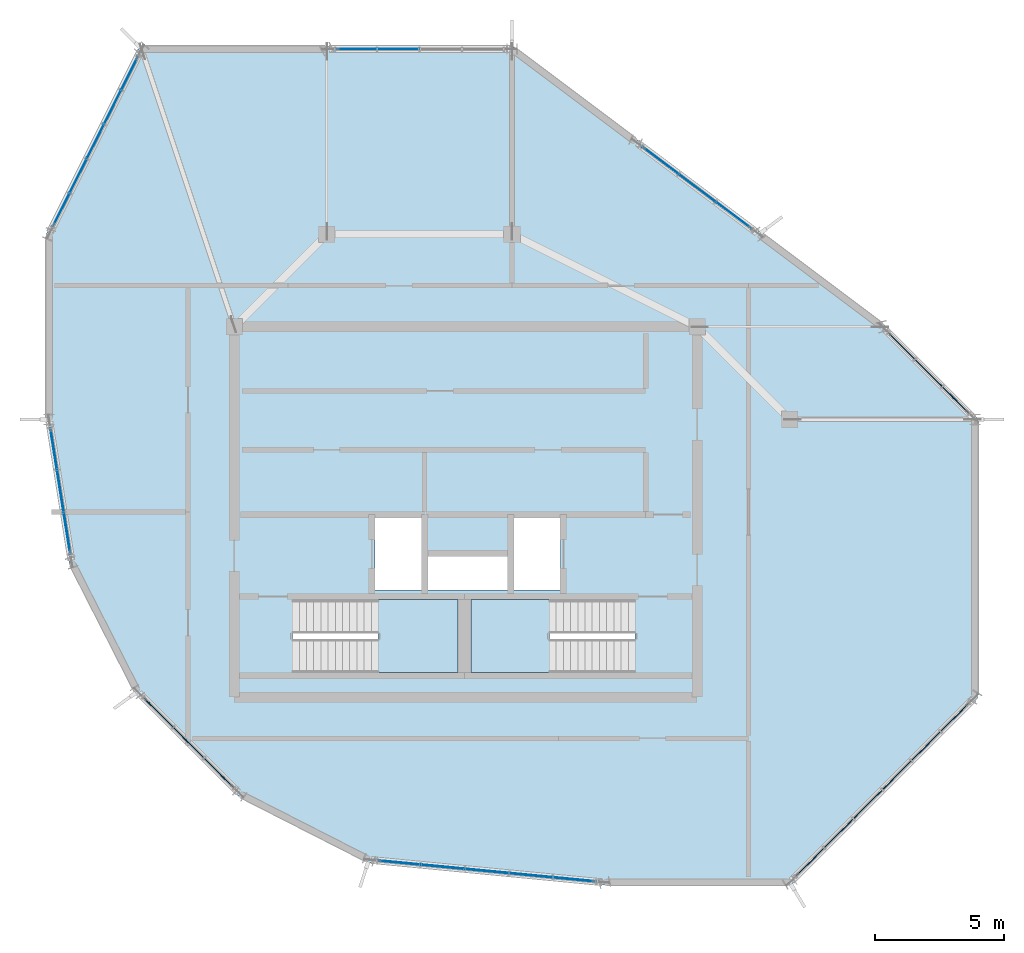
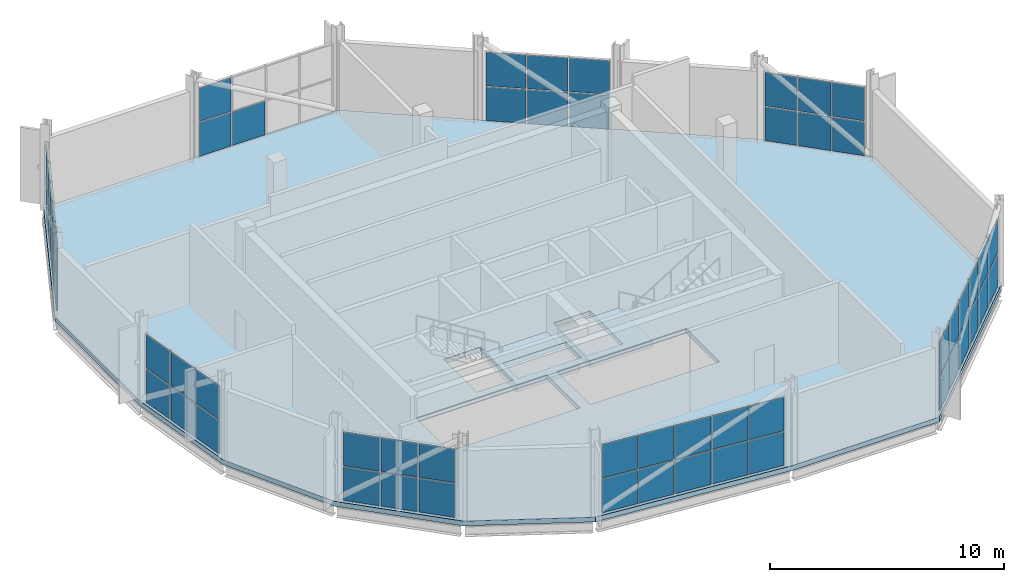
# One storey, part 16 of 22: 59 plates, 3 slabs, 10 elements without a shape of their own.
"""IFC4 building model written with IfcOpenShell, lengths in metres."""

from ifc_helpers import new_model, si_unit, direction, frame, origin, origin_2d, place, context, subcontext, project, spatial, polyline, rectangle, outline, extrude, material, layer, layer_set, type_object, element, aggregate, save


model = new_model("IFC4")

# Units and contexts
model_context = context("Model", 3, precision=1e-05, world=origin(), true_north=direction((0.0, 1.0)))
body_context = subcontext(model_context, "Body", "Model", "MODEL_VIEW")
ifc_project = project(units=[si_unit("LENGTHUNIT", "METRE"), si_unit("AREAUNIT", "SQUARE_METRE"), si_unit("VOLUMEUNIT", "CUBIC_METRE"), si_unit("PLANEANGLEUNIT", "RADIAN"), si_unit("MASSUNIT", "GRAM", prefix="KILO")], contexts=[model_context])

# Site, building, storey
site_placement = place(None, origin())
site = spatial("IfcSite", under=ifc_project, at=site_placement, CompositionType="ELEMENT")
building_placement = place(site_placement, origin())
building = spatial("IfcBuilding", under=site, at=building_placement, Name="Solnavia Interchange Tower", CompositionType="ELEMENT")
storey_placement = place(building_placement, frame((0.0, 0.0, 317.699951171875)))
storey = spatial("IfcBuildingStorey", under=building, at=storey_placement, Name="C04", CompositionType="ELEMENT", Elevation=317.699951171875)

# Curtain wall, plates
ifc_material_1 = material(Name="Aluminium Alloy 6063-T6", Category="aluminium")
ifc_layer_1 = layer(ifc_material_1, 0.179931640625)
ifc_layer_set_1 = layer_set([ifc_layer_1], Name="Aluminium Alloy 6063-T6")
curtain_wall_type = type_object("IfcCurtainWallType", Name="CurtainWall-Crown-CTW6", PredefinedType="NOTDEFINED", material=ifc_layer_set_1)
curtain_wall_1_placement = place(storey_placement, origin())
curtain_wall_1 = element("IfcCurtainWall", 1, at=curtain_wall_1_placement, inside=storey, type_object=curtain_wall_type, Name="CTW-C04-R01 CTW-6 curtain wall", PredefinedType="NOTDEFINED")
ifc_material_2 = material(Name="Double-Glazed Low-E IGU Glass", Category="glass")
ifc_layer_2 = layer(ifc_material_2, 0.030029296875)
ifc_layer_set_2 = layer_set([ifc_layer_2], Name="Double-Glazed Low-E IGU Glass")
plate_type = type_object("IfcPlateType", Name="CW-Panel-Crown-30", PredefinedType="CURTAIN_PANEL", material=ifc_layer_set_2)
plate_1_placement = place(storey_placement, frame((42.453369140625, 22.3466796875, 0.06005859375), z_axis=(0.0, 0.0, 1.0), x_axis=(-0.707106781187, 0.707106781187, 0.0)))
plate_1 = element("IfcPlate", 2, at=plate_1_placement, type_object=plate_type, Name="CTW-6 panel 1.1", PredefinedType="CURTAIN_PANEL", context=body_context, shape_type="SweptSolid", body=[
    extrude(rectangle(XDim=1.414794921875, YDim=0.030029296875, at=origin_2d()), origin(), (0.0, 0.0, 1.0), 1.75),
])
plate_2_placement = place(storey_placement, frame((42.453369140625, 22.3466796875, 1.8701171875), z_axis=(0.0, 0.0, 1.0), x_axis=(-0.707106781187, 0.707106781187, 0.0)))
plate_2 = element("IfcPlate", 3, at=plate_2_placement, type_object=plate_type, Name="CTW-6 panel 1.2", PredefinedType="CURTAIN_PANEL", context=body_context, shape_type="SweptSolid", body=[
    extrude(rectangle(XDim=1.414794921875, YDim=0.030029296875, at=origin_2d()), origin(), (0.0, 0.0, 1.0), 1.75),
])
plate_3_placement = place(storey_placement, frame((41.39990234375, 23.39990234375, 0.06005859375), z_axis=(0.0, 0.0, 1.0), x_axis=(-0.707106781187, 0.707106781187, 0.0)))
plate_3 = element("IfcPlate", 4, at=plate_3_placement, type_object=plate_type, Name="CTW-6 panel 2.1", PredefinedType="CURTAIN_PANEL", context=body_context, shape_type="SweptSolid", body=[
    extrude(rectangle(XDim=1.44482421875, YDim=0.030029296875, at=origin_2d()), origin(), (0.0, 0.0, 1.0), 1.75),
])
plate_4_placement = place(storey_placement, frame((41.39990234375, 23.39990234375, 1.8701171875), z_axis=(0.0, 0.0, 1.0), x_axis=(-0.707106781187, 0.707106781187, 0.0)))
plate_4 = element("IfcPlate", 5, at=plate_4_placement, type_object=plate_type, Name="CTW-6 panel 2.2", PredefinedType="CURTAIN_PANEL", context=body_context, shape_type="SweptSolid", body=[
    extrude(rectangle(XDim=1.44482421875, YDim=0.030029296875, at=origin_2d()), origin(), (0.0, 0.0, 1.0), 1.75),
])
plate_5_placement = place(storey_placement, frame((40.3466796875, 24.453369140625, 0.06005859375), z_axis=(0.0, 0.0, 1.0), x_axis=(-0.707106781187, 0.707106781187, 0.0)))
plate_5 = element("IfcPlate", 6, at=plate_5_placement, type_object=plate_type, Name="CTW-6 panel 3.1", PredefinedType="CURTAIN_PANEL", context=body_context, shape_type="SweptSolid", body=[
    extrude(rectangle(XDim=1.414794921875, YDim=0.030029296875, at=origin_2d()), origin(), (0.0, 0.0, 1.0), 1.75),
])
plate_6_placement = place(storey_placement, frame((40.3466796875, 24.453369140625, 1.8701171875), z_axis=(0.0, 0.0, 1.0), x_axis=(-0.707106781187, 0.707106781187, 0.0)))
plate_6 = element("IfcPlate", 7, at=plate_6_placement, type_object=plate_type, Name="CTW-6 panel 3.2", PredefinedType="CURTAIN_PANEL", context=body_context, shape_type="SweptSolid", body=[
    extrude(rectangle(XDim=1.414794921875, YDim=0.030029296875, at=origin_2d()), origin(), (0.0, 0.0, 1.0), 1.75),
])
aggregate(curtain_wall_1, [plate_1, plate_2, plate_3, plate_4, plate_5, plate_6])

curtain_wall_2_placement = place(storey_placement, origin())
curtain_wall_2 = element("IfcCurtainWall", 8, at=curtain_wall_2_placement, inside=storey, type_object=curtain_wall_type, Name="CTW-C04-R03 CTW-6 curtain wall", PredefinedType="NOTDEFINED")
plate_7_placement = place(storey_placement, frame((33.834228515625, 29.5244140625, 0.06005859375), z_axis=(0.0, 0.0, 1.0), x_axis=(-0.799999999998, 0.600000000002, 0.0)))
plate_7 = element("IfcPlate", 9, at=plate_7_placement, type_object=plate_type, Name="CTW-6 panel 1.1", PredefinedType="CURTAIN_PANEL", context=body_context, shape_type="SweptSolid", body=[
    extrude(rectangle(XDim=1.7177734375, YDim=0.030029296875, at=origin_2d()), origin(), (0.0, 0.0, 1.0), 1.75),
])
plate_8_placement = place(storey_placement, frame((33.834228515625, 29.5244140625, 1.8701171875), z_axis=(0.0, 0.0, 1.0), x_axis=(-0.799999999998, 0.600000000002, 0.0)))
plate_8 = element("IfcPlate", 10, at=plate_8_placement, type_object=plate_type, Name="CTW-6 panel 1.2", PredefinedType="CURTAIN_PANEL", context=body_context, shape_type="SweptSolid", body=[
    extrude(rectangle(XDim=1.7177734375, YDim=0.030029296875, at=origin_2d()), origin(), (0.0, 0.0, 1.0), 1.75),
])
plate_9_placement = place(storey_placement, frame((32.39990234375, 30.60009765625, 0.06005859375), z_axis=(0.0, 0.0, 1.0), x_axis=(-0.799999999998, 0.600000000002, 0.0)))
plate_9 = element("IfcPlate", 11, at=plate_9_placement, type_object=plate_type, Name="CTW-6 panel 2.1", PredefinedType="CURTAIN_PANEL", context=body_context, shape_type="SweptSolid", body=[
    extrude(rectangle(XDim=1.74755859375, YDim=0.030029296875, at=origin_2d()), origin(), (0.0, 0.0, 1.0), 1.75),
])
plate_10_placement = place(storey_placement, frame((32.39990234375, 30.60009765625, 1.8701171875), z_axis=(0.0, 0.0, 1.0), x_axis=(-0.799999999998, 0.600000000002, 0.0)))
plate_10 = element("IfcPlate", 12, at=plate_10_placement, type_object=plate_type, Name="CTW-6 panel 2.2", PredefinedType="CURTAIN_PANEL", context=body_context, shape_type="SweptSolid", body=[
    extrude(rectangle(XDim=1.74755859375, YDim=0.030029296875, at=origin_2d()), origin(), (0.0, 0.0, 1.0), 1.75),
])
plate_11_placement = place(storey_placement, frame((30.9658203125, 31.675537109375, 0.06005859375), z_axis=(0.0, 0.0, 1.0), x_axis=(-0.799999999998, 0.600000000002, 0.0)))
plate_11 = element("IfcPlate", 13, at=plate_11_placement, type_object=plate_type, Name="CTW-6 panel 3.1", PredefinedType="CURTAIN_PANEL", context=body_context, shape_type="SweptSolid", body=[
    extrude(rectangle(XDim=1.7177734375, YDim=0.030029296875, at=origin_2d()), origin(), (0.0, 0.0, 1.0), 1.75),
])
plate_12_placement = place(storey_placement, frame((30.9658203125, 31.675537109375, 1.8701171875), z_axis=(0.0, 0.0, 1.0), x_axis=(-0.799999999998, 0.600000000002, 0.0)))
plate_12 = element("IfcPlate", 14, at=plate_12_placement, type_object=plate_type, Name="CTW-6 panel 3.2", PredefinedType="CURTAIN_PANEL", context=body_context, shape_type="SweptSolid", body=[
    extrude(rectangle(XDim=1.7177734375, YDim=0.030029296875, at=origin_2d()), origin(), (0.0, 0.0, 1.0), 1.75),
])
aggregate(curtain_wall_2, [plate_7, plate_8, plate_9, plate_10, plate_11, plate_12])

curtain_wall_3_placement = place(storey_placement, origin())
curtain_wall_3 = element("IfcCurtainWall", 15, at=curtain_wall_3_placement, inside=storey, type_object=curtain_wall_type, Name="CTW-C04-R05 CTW-6 curtain wall", PredefinedType="NOTDEFINED")
plate_13_placement = place(storey_placement, frame((20.772216796875, 36.0, 0.06005859375), z_axis=(0.0, 0.0, 1.0), x_axis=(-1.0, 0.0, 0.0)))
plate_13 = element("IfcPlate", 16, at=plate_13_placement, type_object=plate_type, Name="CTW-6 panel 3.1", PredefinedType="CURTAIN_PANEL", context=body_context, shape_type="SweptSolid", body=[
    extrude(rectangle(XDim=1.595703125, YDim=0.030029296875, at=origin_2d()), origin(), (0.0, 0.0, 1.0), 1.75),
])
plate_14_placement = place(storey_placement, frame((19.13134765625, 36.0, 0.06005859375), z_axis=(0.0, 0.0, 1.0), x_axis=(-1.0, 0.0, 0.0)))
plate_14 = element("IfcPlate", 17, at=plate_14_placement, type_object=plate_type, Name="CTW-6 panel 4.1", PredefinedType="CURTAIN_PANEL", context=body_context, shape_type="SweptSolid", body=[
    extrude(rectangle(XDim=1.565673828125, YDim=0.030029296875, at=origin_2d()), origin(), (0.0, 0.0, 1.0), 1.75),
])
plate_15_placement = place(storey_placement, frame((19.13134765625, 36.0, 1.8701171875), z_axis=(0.0, 0.0, 1.0), x_axis=(-1.0, 0.0, 0.0)))
plate_15 = element("IfcPlate", 18, at=plate_15_placement, type_object=plate_type, Name="CTW-6 panel 4.2", PredefinedType="CURTAIN_PANEL", context=body_context, shape_type="SweptSolid", body=[
    extrude(rectangle(XDim=1.565673828125, YDim=0.030029296875, at=origin_2d()), origin(), (0.0, 0.0, 1.0), 1.75),
])
aggregate(curtain_wall_3, [plate_13, plate_14, plate_15])

curtain_wall_4_placement = place(storey_placement, origin())
curtain_wall_4 = element("IfcCurtainWall", 19, at=curtain_wall_4_placement, inside=storey, type_object=curtain_wall_type, Name="CTW-C04-R07 CTW-6 curtain wall", PredefinedType="NOTDEFINED")
plate_16_placement = place(storey_placement, frame((10.330078125, 35.060302734375, 0.06005859375), z_axis=(0.0, 0.0, 1.0), x_axis=(-0.447213595499, -0.894427191001, 0.0)))
plate_16 = element("IfcPlate", 20, at=plate_16_placement, type_object=plate_type, Name="CTW-6 panel 1.1", PredefinedType="CURTAIN_PANEL", context=body_context, shape_type="SweptSolid", body=[
    extrude(rectangle(XDim=1.404541015625, YDim=0.030029296875, at=origin_2d()), origin(), (0.0, 0.0, 1.0), 1.75),
])
plate_17_placement = place(storey_placement, frame((10.330078125, 35.060302734375, 1.8701171875), z_axis=(0.0, 0.0, 1.0), x_axis=(-0.447213595499, -0.894427191001, 0.0)))
plate_17 = element("IfcPlate", 21, at=plate_17_placement, type_object=plate_type, Name="CTW-6 panel 1.2", PredefinedType="CURTAIN_PANEL", context=body_context, shape_type="SweptSolid", body=[
    extrude(rectangle(XDim=1.404541015625, YDim=0.030029296875, at=origin_2d()), origin(), (0.0, 0.0, 1.0), 1.75),
])
plate_18_placement = place(storey_placement, frame((9.66845703125, 33.73681640625, 0.06005859375), z_axis=(0.0, 0.0, 1.0), x_axis=(-0.447213595499, -0.894427191001, 0.0)))
plate_18 = element("IfcPlate", 22, at=plate_18_placement, type_object=plate_type, Name="CTW-6 panel 2.1", PredefinedType="CURTAIN_PANEL", context=body_context, shape_type="SweptSolid", body=[
    extrude(rectangle(XDim=1.4345703125, YDim=0.030029296875, at=origin_2d()), origin(), (0.0, 0.0, 1.0), 1.75),
])
plate_19_placement = place(storey_placement, frame((9.66845703125, 33.73681640625, 1.8701171875), z_axis=(0.0, 0.0, 1.0), x_axis=(-0.447213595499, -0.894427191001, 0.0)))
plate_19 = element("IfcPlate", 23, at=plate_19_placement, type_object=plate_type, Name="CTW-6 panel 2.2", PredefinedType="CURTAIN_PANEL", context=body_context, shape_type="SweptSolid", body=[
    extrude(rectangle(XDim=1.4345703125, YDim=0.030029296875, at=origin_2d()), origin(), (0.0, 0.0, 1.0), 1.75),
])
plate_20_placement = place(storey_placement, frame((9.0, 32.39990234375, 0.06005859375), z_axis=(0.0, 0.0, 1.0), x_axis=(-0.447213595499, -0.894427191001, 0.0)))
plate_20 = element("IfcPlate", 24, at=plate_20_placement, type_object=plate_type, Name="CTW-6 panel 3.1", PredefinedType="CURTAIN_PANEL", context=body_context, shape_type="SweptSolid", body=[
    extrude(rectangle(XDim=1.4345703125, YDim=0.030029296875, at=origin_2d()), origin(), (0.0, 0.0, 1.0), 1.75),
])
plate_21_placement = place(storey_placement, frame((9.0, 32.39990234375, 1.8701171875), z_axis=(0.0, 0.0, 1.0), x_axis=(-0.447213595499, -0.894427191001, 0.0)))
plate_21 = element("IfcPlate", 25, at=plate_21_placement, type_object=plate_type, Name="CTW-6 panel 3.2", PredefinedType="CURTAIN_PANEL", context=body_context, shape_type="SweptSolid", body=[
    extrude(rectangle(XDim=1.4345703125, YDim=0.030029296875, at=origin_2d()), origin(), (0.0, 0.0, 1.0), 1.75),
])
plate_22_placement = place(storey_placement, frame((8.33154296875, 31.063232421875, 0.06005859375), z_axis=(0.0, 0.0, 1.0), x_axis=(-0.447213595499, -0.894427191001, 0.0)))
plate_22 = element("IfcPlate", 26, at=plate_22_placement, type_object=plate_type, Name="CTW-6 panel 4.1", PredefinedType="CURTAIN_PANEL", context=body_context, shape_type="SweptSolid", body=[
    extrude(rectangle(XDim=1.4345703125, YDim=0.030029296875, at=origin_2d()), origin(), (0.0, 0.0, 1.0), 1.75),
])
plate_23_placement = place(storey_placement, frame((8.33154296875, 31.063232421875, 1.8701171875), z_axis=(0.0, 0.0, 1.0), x_axis=(-0.447213595499, -0.894427191001, 0.0)))
plate_23 = element("IfcPlate", 27, at=plate_23_placement, type_object=plate_type, Name="CTW-6 panel 4.2", PredefinedType="CURTAIN_PANEL", context=body_context, shape_type="SweptSolid", body=[
    extrude(rectangle(XDim=1.4345703125, YDim=0.030029296875, at=origin_2d()), origin(), (0.0, 0.0, 1.0), 1.75),
])
plate_24_placement = place(storey_placement, frame((7.669921875, 29.73974609375, 0.06005859375), z_axis=(0.0, 0.0, 1.0), x_axis=(-0.447213595499, -0.894427191001, 0.0)))
plate_24 = element("IfcPlate", 28, at=plate_24_placement, type_object=plate_type, Name="CTW-6 panel 5.1", PredefinedType="CURTAIN_PANEL", context=body_context, shape_type="SweptSolid", body=[
    extrude(rectangle(XDim=1.404541015625, YDim=0.030029296875, at=origin_2d()), origin(), (0.0, 0.0, 1.0), 1.75),
])
plate_25_placement = place(storey_placement, frame((7.669921875, 29.73974609375, 1.8701171875), z_axis=(0.0, 0.0, 1.0), x_axis=(-0.447213595499, -0.894427191001, 0.0)))
plate_25 = element("IfcPlate", 29, at=plate_25_placement, type_object=plate_type, Name="CTW-6 panel 5.2", PredefinedType="CURTAIN_PANEL", context=body_context, shape_type="SweptSolid", body=[
    extrude(rectangle(XDim=1.404541015625, YDim=0.030029296875, at=origin_2d()), origin(), (0.0, 0.0, 1.0), 1.75),
])
aggregate(curtain_wall_4, [plate_16, plate_17, plate_18, plate_19, plate_20, plate_21, plate_22, plate_23, plate_24, plate_25])

curtain_wall_5_placement = place(storey_placement, origin())
curtain_wall_5 = element("IfcCurtainWall", 30, at=curtain_wall_5_placement, inside=storey, type_object=curtain_wall_type, Name="CTW-C04-R09 CTW-6 curtain wall", PredefinedType="NOTDEFINED")
plate_26_placement = place(storey_placement, frame((7.379150390625, 20.46826171875, 0.06005859375), z_axis=(0.0, 0.0, 1.0), x_axis=(0.156456312485, -0.987684880052, 0.0)))
plate_26 = element("IfcPlate", 31, at=plate_26_placement, type_object=plate_type, Name="CTW-6 panel 1.1", PredefinedType="CURTAIN_PANEL", context=body_context, shape_type="SweptSolid", body=[
    extrude(rectangle(XDim=1.5947265625, YDim=0.030029296875, at=origin_2d()), origin(), (0.0, 0.0, 1.0), 1.75),
])
plate_27_placement = place(storey_placement, frame((7.379150390625, 20.46826171875, 1.8701171875), z_axis=(0.0, 0.0, 1.0), x_axis=(0.156456312485, -0.987684880052, 0.0)))
plate_27 = element("IfcPlate", 32, at=plate_27_placement, type_object=plate_type, Name="CTW-6 panel 1.2", PredefinedType="CURTAIN_PANEL", context=body_context, shape_type="SweptSolid", body=[
    extrude(rectangle(XDim=1.5947265625, YDim=0.030029296875, at=origin_2d()), origin(), (0.0, 0.0, 1.0), 1.75),
])
plate_28_placement = place(storey_placement, frame((7.640380859375, 18.819091796875, 0.06005859375), z_axis=(0.0, 0.0, 1.0), x_axis=(0.156456312485, -0.987684880052, 0.0)))
plate_28 = element("IfcPlate", 33, at=plate_28_placement, type_object=plate_type, Name="CTW-6 panel 2.1", PredefinedType="CURTAIN_PANEL", context=body_context, shape_type="SweptSolid", body=[
    extrude(rectangle(XDim=1.624755859375, YDim=0.030029296875, at=origin_2d()), origin(), (0.0, 0.0, 1.0), 1.75),
])
plate_29_placement = place(storey_placement, frame((7.640380859375, 18.819091796875, 1.8701171875), z_axis=(0.0, 0.0, 1.0), x_axis=(0.156456312485, -0.987684880052, 0.0)))
plate_29 = element("IfcPlate", 34, at=plate_29_placement, type_object=plate_type, Name="CTW-6 panel 2.2", PredefinedType="CURTAIN_PANEL", context=body_context, shape_type="SweptSolid", body=[
    extrude(rectangle(XDim=1.624755859375, YDim=0.030029296875, at=origin_2d()), origin(), (0.0, 0.0, 1.0), 1.75),
])
plate_30_placement = place(storey_placement, frame((7.90185546875, 17.169677734375, 0.06005859375), z_axis=(0.0, 0.0, 1.0), x_axis=(0.156456312485, -0.987684880052, 0.0)))
plate_30 = element("IfcPlate", 35, at=plate_30_placement, type_object=plate_type, Name="CTW-6 panel 3.1", PredefinedType="CURTAIN_PANEL", context=body_context, shape_type="SweptSolid", body=[
    extrude(rectangle(XDim=1.5947265625, YDim=0.030029296875, at=origin_2d()), origin(), (0.0, 0.0, 1.0), 1.75),
])
plate_31_placement = place(storey_placement, frame((7.90185546875, 17.169677734375, 1.8701171875), z_axis=(0.0, 0.0, 1.0), x_axis=(0.156456312485, -0.987684880052, 0.0)))
plate_31 = element("IfcPlate", 36, at=plate_31_placement, type_object=plate_type, Name="CTW-6 panel 3.2", PredefinedType="CURTAIN_PANEL", context=body_context, shape_type="SweptSolid", body=[
    extrude(rectangle(XDim=1.5947265625, YDim=0.030029296875, at=origin_2d()), origin(), (0.0, 0.0, 1.0), 1.75),
])
aggregate(curtain_wall_5, [plate_26, plate_27, plate_28, plate_29, plate_30, plate_31])

curtain_wall_6_placement = place(storey_placement, origin())
curtain_wall_6 = element("IfcCurtainWall", 37, at=curtain_wall_6_placement, inside=storey, type_object=curtain_wall_type, Name="CTW-C04-R11 CTW-6 curtain wall", PredefinedType="NOTDEFINED")
plate_32_placement = place(storey_placement, frame((11.4482421875, 10.209716796875, 0.06005859375), z_axis=(0.0, 0.0, 1.0), x_axis=(0.707106781187, -0.707106781187, 0.0)))
plate_32 = element("IfcPlate", 38, at=plate_32_placement, type_object=plate_type, Name="CTW-6 panel 1.1", PredefinedType="CURTAIN_PANEL", context=body_context, shape_type="SweptSolid", body=[
    extrude(rectangle(XDim=1.5947265625, YDim=0.030029296875, at=origin_2d()), origin(), (0.0, 0.0, 1.0), 1.75),
])
plate_33_placement = place(storey_placement, frame((11.4482421875, 10.209716796875, 1.8701171875), z_axis=(0.0, 0.0, 1.0), x_axis=(0.707106781187, -0.707106781187, 0.0)))
plate_33 = element("IfcPlate", 39, at=plate_33_placement, type_object=plate_type, Name="CTW-6 panel 1.2", PredefinedType="CURTAIN_PANEL", context=body_context, shape_type="SweptSolid", body=[
    extrude(rectangle(XDim=1.5947265625, YDim=0.030029296875, at=origin_2d()), origin(), (0.0, 0.0, 1.0), 1.75),
])
plate_34_placement = place(storey_placement, frame((12.62890625, 9.029052734375, 0.06005859375), z_axis=(0.0, 0.0, 1.0), x_axis=(0.707106781187, -0.707106781187, 0.0)))
plate_34 = element("IfcPlate", 40, at=plate_34_placement, type_object=plate_type, Name="CTW-6 panel 2.1", PredefinedType="CURTAIN_PANEL", context=body_context, shape_type="SweptSolid", body=[
    extrude(rectangle(XDim=1.624755859375, YDim=0.030029296875, at=origin_2d()), origin(), (0.0, 0.0, 1.0), 1.75),
])
plate_35_placement = place(storey_placement, frame((12.62890625, 9.029052734375, 1.8701171875), z_axis=(0.0, 0.0, 1.0), x_axis=(0.707106781187, -0.707106781187, 0.0)))
plate_35 = element("IfcPlate", 41, at=plate_35_placement, type_object=plate_type, Name="CTW-6 panel 2.2", PredefinedType="CURTAIN_PANEL", context=body_context, shape_type="SweptSolid", body=[
    extrude(rectangle(XDim=1.624755859375, YDim=0.030029296875, at=origin_2d()), origin(), (0.0, 0.0, 1.0), 1.75),
])
plate_36_placement = place(storey_placement, frame((13.809814453125, 7.848388671875, 0.06005859375), z_axis=(0.0, 0.0, 1.0), x_axis=(0.707106781187, -0.707106781187, 0.0)))
plate_36 = element("IfcPlate", 42, at=plate_36_placement, type_object=plate_type, Name="CTW-6 panel 3.1", PredefinedType="CURTAIN_PANEL", context=body_context, shape_type="SweptSolid", body=[
    extrude(rectangle(XDim=1.5947265625, YDim=0.030029296875, at=origin_2d()), origin(), (0.0, 0.0, 1.0), 1.75),
])
plate_37_placement = place(storey_placement, frame((13.809814453125, 7.848388671875, 1.8701171875), z_axis=(0.0, 0.0, 1.0), x_axis=(0.707106781187, -0.707106781187, 0.0)))
plate_37 = element("IfcPlate", 43, at=plate_37_placement, type_object=plate_type, Name="CTW-6 panel 3.2", PredefinedType="CURTAIN_PANEL", context=body_context, shape_type="SweptSolid", body=[
    extrude(rectangle(XDim=1.5947265625, YDim=0.030029296875, at=origin_2d()), origin(), (0.0, 0.0, 1.0), 1.75),
])
aggregate(curtain_wall_6, [plate_32, plate_33, plate_34, plate_35, plate_36, plate_37])

curtain_wall_7_placement = place(storey_placement, origin())
curtain_wall_7 = element("IfcCurtainWall", 44, at=curtain_wall_7_placement, inside=storey, type_object=curtain_wall_type, Name="CTW-C04-R13 CTW-6 curtain wall", PredefinedType="NOTDEFINED")
plate_38_placement = place(storey_placement, frame((20.798828125, 4.369384765625, 0.06005859375), z_axis=(0.0, 0.0, 1.0), x_axis=(0.995408264531, -0.095720357833, 0.0)))
plate_38 = element("IfcPlate", 45, at=plate_38_placement, type_object=plate_type, Name="CTW-6 panel 1.1", PredefinedType="CURTAIN_PANEL", context=body_context, shape_type="SweptSolid", body=[
    extrude(rectangle(XDim=1.635498046875, YDim=0.030029296875, at=origin_2d()), origin(), (0.0, 0.0, 1.0), 1.75),
])
plate_39_placement = place(storey_placement, frame((20.798828125, 4.369384765625, 1.8701171875), z_axis=(0.0, 0.0, 1.0), x_axis=(0.995408264531, -0.095720357833, 0.0)))
plate_39 = element("IfcPlate", 46, at=plate_39_placement, type_object=plate_type, Name="CTW-6 panel 1.2", PredefinedType="CURTAIN_PANEL", context=body_context, shape_type="SweptSolid", body=[
    extrude(rectangle(XDim=1.635498046875, YDim=0.030029296875, at=origin_2d()), origin(), (0.0, 0.0, 1.0), 1.75),
])
plate_40_placement = place(storey_placement, frame((22.50146484375, 4.20556640625, 0.06005859375), z_axis=(0.0, 0.0, 1.0), x_axis=(0.995408264531, -0.095720357833, 0.0)))
plate_40 = element("IfcPlate", 47, at=plate_40_placement, type_object=plate_type, Name="CTW-6 panel 2.1", PredefinedType="CURTAIN_PANEL", context=body_context, shape_type="SweptSolid", body=[
    extrude(rectangle(XDim=1.66552734375, YDim=0.030029296875, at=origin_2d()), origin(), (0.0, 0.0, 1.0), 1.75),
])
plate_41_placement = place(storey_placement, frame((22.50146484375, 4.20556640625, 1.8701171875), z_axis=(0.0, 0.0, 1.0), x_axis=(0.995408264531, -0.095720357833, 0.0)))
plate_41 = element("IfcPlate", 48, at=plate_41_placement, type_object=plate_type, Name="CTW-6 panel 2.2", PredefinedType="CURTAIN_PANEL", context=body_context, shape_type="SweptSolid", body=[
    extrude(rectangle(XDim=1.66552734375, YDim=0.030029296875, at=origin_2d()), origin(), (0.0, 0.0, 1.0), 1.75),
])
plate_42_placement = place(storey_placement, frame((24.218994140625, 4.04052734375, 0.06005859375), z_axis=(0.0, 0.0, 1.0), x_axis=(0.995408264531, -0.095720357833, 0.0)))
plate_42 = element("IfcPlate", 49, at=plate_42_placement, type_object=plate_type, Name="CTW-6 panel 3.1", PredefinedType="CURTAIN_PANEL", context=body_context, shape_type="SweptSolid", body=[
    extrude(rectangle(XDim=1.66552734375, YDim=0.030029296875, at=origin_2d()), origin(), (0.0, 0.0, 1.0), 1.75),
])
plate_43_placement = place(storey_placement, frame((24.218994140625, 4.04052734375, 1.8701171875), z_axis=(0.0, 0.0, 1.0), x_axis=(0.995408264531, -0.095720357833, 0.0)))
plate_43 = element("IfcPlate", 50, at=plate_43_placement, type_object=plate_type, Name="CTW-6 panel 3.2", PredefinedType="CURTAIN_PANEL", context=body_context, shape_type="SweptSolid", body=[
    extrude(rectangle(XDim=1.66552734375, YDim=0.030029296875, at=origin_2d()), origin(), (0.0, 0.0, 1.0), 1.75),
])
plate_44_placement = place(storey_placement, frame((25.9365234375, 3.875244140625, 0.06005859375), z_axis=(0.0, 0.0, 1.0), x_axis=(0.995408264531, -0.095720357833, 0.0)))
plate_44 = element("IfcPlate", 51, at=plate_44_placement, type_object=plate_type, Name="CTW-6 panel 4.1", PredefinedType="CURTAIN_PANEL", context=body_context, shape_type="SweptSolid", body=[
    extrude(rectangle(XDim=1.66552734375, YDim=0.030029296875, at=origin_2d()), origin(), (0.0, 0.0, 1.0), 1.75),
])
plate_45_placement = place(storey_placement, frame((25.9365234375, 3.875244140625, 1.8701171875), z_axis=(0.0, 0.0, 1.0), x_axis=(0.995408264531, -0.095720357833, 0.0)))
plate_45 = element("IfcPlate", 52, at=plate_45_placement, type_object=plate_type, Name="CTW-6 panel 4.2", PredefinedType="CURTAIN_PANEL", context=body_context, shape_type="SweptSolid", body=[
    extrude(rectangle(XDim=1.66552734375, YDim=0.030029296875, at=origin_2d()), origin(), (0.0, 0.0, 1.0), 1.75),
])
plate_46_placement = place(storey_placement, frame((27.63916015625, 3.711669921875, 0.06005859375), z_axis=(0.0, 0.0, 1.0), x_axis=(0.995408264531, -0.095720357833, 0.0)))
plate_46 = element("IfcPlate", 53, at=plate_46_placement, type_object=plate_type, Name="CTW-6 panel 5.1", PredefinedType="CURTAIN_PANEL", context=body_context, shape_type="SweptSolid", body=[
    extrude(rectangle(XDim=1.635498046875, YDim=0.030029296875, at=origin_2d()), origin(), (0.0, 0.0, 1.0), 1.75),
])
plate_47_placement = place(storey_placement, frame((27.63916015625, 3.711669921875, 1.8701171875), z_axis=(0.0, 0.0, 1.0), x_axis=(0.995408264531, -0.095720357833, 0.0)))
plate_47 = element("IfcPlate", 54, at=plate_47_placement, type_object=plate_type, Name="CTW-6 panel 5.2", PredefinedType="CURTAIN_PANEL", context=body_context, shape_type="SweptSolid", body=[
    extrude(rectangle(XDim=1.635498046875, YDim=0.030029296875, at=origin_2d()), origin(), (0.0, 0.0, 1.0), 1.75),
])
aggregate(curtain_wall_7, [plate_38, plate_39, plate_40, plate_41, plate_42, plate_43, plate_44, plate_45, plate_46, plate_47])

curtain_wall_8_placement = place(storey_placement, origin())
curtain_wall_8 = element("IfcCurtainWall", 55, at=curtain_wall_8_placement, inside=storey, type_object=curtain_wall_type, Name="CTW-C04-R15 CTW-6 curtain wall", PredefinedType="NOTDEFINED")
plate_48_placement = place(storey_placement, frame((36.780517578125, 4.380615234375, 0.06005859375), z_axis=(0.0, 0.0, 1.0), x_axis=(0.707106781187, 0.707106781187, 0.0)))
plate_48 = element("IfcPlate", 56, at=plate_48_placement, type_object=plate_type, Name="CTW-6 panel 1.1", PredefinedType="CURTAIN_PANEL", context=body_context, shape_type="SweptSolid", body=[
    extrude(rectangle(XDim=1.510986328125, YDim=0.030029296875, at=origin_2d()), origin(), (0.0, 0.0, 1.0), 1.75),
])
plate_49_placement = place(storey_placement, frame((36.780517578125, 4.380615234375, 1.8701171875), z_axis=(0.0, 0.0, 1.0), x_axis=(0.707106781187, 0.707106781187, 0.0)))
plate_49 = element("IfcPlate", 57, at=plate_49_placement, type_object=plate_type, Name="CTW-6 panel 1.2", PredefinedType="CURTAIN_PANEL", context=body_context, shape_type="SweptSolid", body=[
    extrude(rectangle(XDim=1.510986328125, YDim=0.030029296875, at=origin_2d()), origin(), (0.0, 0.0, 1.0), 1.75),
])
plate_50_placement = place(storey_placement, frame((37.902099609375, 5.501953125, 0.06005859375), z_axis=(0.0, 0.0, 1.0), x_axis=(0.707106781187, 0.707106781187, 0.0)))
plate_50 = element("IfcPlate", 58, at=plate_50_placement, type_object=plate_type, Name="CTW-6 panel 2.1", PredefinedType="CURTAIN_PANEL", context=body_context, shape_type="SweptSolid", body=[
    extrude(rectangle(XDim=1.540771484375, YDim=0.030029296875, at=origin_2d()), origin(), (0.0, 0.0, 1.0), 1.75),
])
plate_51_placement = place(storey_placement, frame((37.902099609375, 5.501953125, 1.8701171875), z_axis=(0.0, 0.0, 1.0), x_axis=(0.707106781187, 0.707106781187, 0.0)))
plate_51 = element("IfcPlate", 59, at=plate_51_placement, type_object=plate_type, Name="CTW-6 panel 2.2", PredefinedType="CURTAIN_PANEL", context=body_context, shape_type="SweptSolid", body=[
    extrude(rectangle(XDim=1.540771484375, YDim=0.030029296875, at=origin_2d()), origin(), (0.0, 0.0, 1.0), 1.75),
])
plate_52_placement = place(storey_placement, frame((39.033935546875, 6.634033203125, 0.06005859375), z_axis=(0.0, 0.0, 1.0), x_axis=(0.707106781187, 0.707106781187, 0.0)))
plate_52 = element("IfcPlate", 60, at=plate_52_placement, type_object=plate_type, Name="CTW-6 panel 3.1", PredefinedType="CURTAIN_PANEL", context=body_context, shape_type="SweptSolid", body=[
    extrude(rectangle(XDim=1.540771484375, YDim=0.030029296875, at=origin_2d()), origin(), (0.0, 0.0, 1.0), 1.75),
])
plate_53_placement = place(storey_placement, frame((39.033935546875, 6.634033203125, 1.8701171875), z_axis=(0.0, 0.0, 1.0), x_axis=(0.707106781187, 0.707106781187, 0.0)))
plate_53 = element("IfcPlate", 61, at=plate_53_placement, type_object=plate_type, Name="CTW-6 panel 3.2", PredefinedType="CURTAIN_PANEL", context=body_context, shape_type="SweptSolid", body=[
    extrude(rectangle(XDim=1.540771484375, YDim=0.030029296875, at=origin_2d()), origin(), (0.0, 0.0, 1.0), 1.75),
])
plate_54_placement = place(storey_placement, frame((40.166015625, 7.76611328125, 0.06005859375), z_axis=(0.0, 0.0, 1.0), x_axis=(0.707106781187, 0.707106781187, 0.0)))
plate_54 = element("IfcPlate", 62, at=plate_54_placement, type_object=plate_type, Name="CTW-6 panel 4.1", PredefinedType="CURTAIN_PANEL", context=body_context, shape_type="SweptSolid", body=[
    extrude(rectangle(XDim=1.540771484375, YDim=0.030029296875, at=origin_2d()), origin(), (0.0, 0.0, 1.0), 1.75),
])
plate_55_placement = place(storey_placement, frame((40.166015625, 7.76611328125, 1.8701171875), z_axis=(0.0, 0.0, 1.0), x_axis=(0.707106781187, 0.707106781187, 0.0)))
plate_55 = element("IfcPlate", 63, at=plate_55_placement, type_object=plate_type, Name="CTW-6 panel 4.2", PredefinedType="CURTAIN_PANEL", context=body_context, shape_type="SweptSolid", body=[
    extrude(rectangle(XDim=1.540771484375, YDim=0.030029296875, at=origin_2d()), origin(), (0.0, 0.0, 1.0), 1.75),
])
plate_56_placement = place(storey_placement, frame((41.298095703125, 8.89794921875, 0.06005859375), z_axis=(0.0, 0.0, 1.0), x_axis=(0.707106781187, 0.707106781187, 0.0)))
plate_56 = element("IfcPlate", 64, at=plate_56_placement, type_object=plate_type, Name="CTW-6 panel 5.1", PredefinedType="CURTAIN_PANEL", context=body_context, shape_type="SweptSolid", body=[
    extrude(rectangle(XDim=1.540771484375, YDim=0.030029296875, at=origin_2d()), origin(), (0.0, 0.0, 1.0), 1.75),
])
plate_57_placement = place(storey_placement, frame((41.298095703125, 8.89794921875, 1.8701171875), z_axis=(0.0, 0.0, 1.0), x_axis=(0.707106781187, 0.707106781187, 0.0)))
plate_57 = element("IfcPlate", 65, at=plate_57_placement, type_object=plate_type, Name="CTW-6 panel 5.2", PredefinedType="CURTAIN_PANEL", context=body_context, shape_type="SweptSolid", body=[
    extrude(rectangle(XDim=1.540771484375, YDim=0.030029296875, at=origin_2d()), origin(), (0.0, 0.0, 1.0), 1.75),
])
plate_58_placement = place(storey_placement, frame((42.41943359375, 10.019287109375, 0.06005859375), z_axis=(0.0, 0.0, 1.0), x_axis=(0.707106781187, 0.707106781187, 0.0)))
plate_58 = element("IfcPlate", 66, at=plate_58_placement, type_object=plate_type, Name="CTW-6 panel 6.1", PredefinedType="CURTAIN_PANEL", context=body_context, shape_type="SweptSolid", body=[
    extrude(rectangle(XDim=1.510986328125, YDim=0.030029296875, at=origin_2d()), origin(), (0.0, 0.0, 1.0), 1.75),
])
plate_59_placement = place(storey_placement, frame((42.41943359375, 10.019287109375, 1.8701171875), z_axis=(0.0, 0.0, 1.0), x_axis=(0.707106781187, 0.707106781187, 0.0)))
plate_59 = element("IfcPlate", 67, at=plate_59_placement, type_object=plate_type, Name="CTW-6 panel 6.2", PredefinedType="CURTAIN_PANEL", context=body_context, shape_type="SweptSolid", body=[
    extrude(rectangle(XDim=1.510986328125, YDim=0.030029296875, at=origin_2d()), origin(), (0.0, 0.0, 1.0), 1.75),
])
aggregate(curtain_wall_8, [plate_48, plate_49, plate_50, plate_51, plate_52, plate_53, plate_54, plate_55, plate_56, plate_57, plate_58, plate_59])

# Stair, slab
ifc_material_3 = material(Name="Concrete C40/50", Category="concrete")
stair_type = type_object("IfcStairType", Name="Stair-Dogleg-RC", PredefinedType="HALF_TURN_STAIR", material=ifc_material_3)
stair_1_placement = place(storey_placement, origin())
stair_1 = element("IfcStair", 68, at=stair_1_placement, inside=storey, type_object=stair_type, Name="C04 Core exit stair 1", PredefinedType="HALF_TURN_STAIR")
ifc_layer_3 = layer(ifc_material_3, 0.35009765625)
ifc_layer_set_3 = layer_set([ifc_layer_3], Name="Concrete C40/50")
slab_type_1 = type_object("IfcSlabType", Name="Slab-StairLanding-350", PredefinedType="LANDING", material=ifc_layer_set_3)
slab_1_placement = place(storey_placement, frame((0.0, 0.0, 1.900146484375)))
slab_1 = element("IfcSlab", 69, at=slab_1_placement, type_object=slab_type_1, Name="ST-1 landing 1", PredefinedType="LANDING", context=body_context, shape_type="SweptSolid", body=[
    extrude(outline(polyline([(19.988037109375, 11.75), (23.10009765625, 11.75), (23.10009765625, 14.590087890625), (19.988037109375, 14.590087890625), (19.988037109375, 11.75)])), origin(), (0.0, 0.0, 1.0), 0.349853515625),
])
aggregate(stair_1, [slab_1])

stair_2_placement = place(storey_placement, origin())
stair_2 = element("IfcStair", 70, at=stair_2_placement, inside=storey, type_object=stair_type, Name="C04 Core exit stair 2", PredefinedType="HALF_TURN_STAIR")
slab_2_placement = place(storey_placement, frame((0.0, 0.0, 1.900146484375)))
slab_2 = element("IfcSlab", 71, at=slab_2_placement, type_object=slab_type_1, Name="ST-2 landing 1", PredefinedType="LANDING", context=body_context, shape_type="SweptSolid", body=[
    extrude(outline(polyline([(23.60009765625, 11.75), (26.662109375, 11.75), (26.662109375, 14.590087890625), (23.60009765625, 14.590087890625), (23.60009765625, 11.75)])), origin(), (0.0, 0.0, 1.0), 0.349853515625),
])
aggregate(stair_2, [slab_2])

# Slab
ifc_layer_4 = layer(ifc_material_3, 0.25)
ifc_layer_set_4 = layer_set([ifc_layer_4], Name="Concrete C40/50")
slab_type_2 = type_object("IfcSlabType", Name="Slab-Tower-250", PredefinedType="FLOOR", material=ifc_layer_set_4)
slab_3_placement = place(storey_placement, frame((0.0, 0.0, -0.25)))
element("IfcSlab", 72, at=slab_3_placement, inside=storey, type_object=slab_type_2, Name="SLB-C04-01 Structural floor slab", PredefinedType="FLOOR", context=body_context, shape_type="SweptSolid", body=[
    extrude(outline(polyline([(43.300048828125, 21.64111328125), (43.300048828125, 10.759033203125), (36.041015625, 3.5), (28.794921875, 3.5), (19.610107421875, 4.383056640625), (14.56005859375, 6.9560546875), (10.555908203125, 10.9599609375), (7.985107421875, 16.007080078125), (7.10009765625, 21.592041015625), (7.10009765625, 28.823974609375), (10.738037109375, 36.10009765625), (25.23291015625, 36.10009765625), (30.06005859375, 32.47998046875), (34.860107421875, 28.8798828125), (39.666015625, 25.27587890625), (43.300048828125, 21.64111328125)]), holes=[polyline([(16.675048828125, 11.75), (23.10009765625, 11.75), (23.10009765625, 14.590087890625), (16.675048828125, 14.590087890625), (16.675048828125, 11.75)]), polyline([(23.60009765625, 11.75), (29.97509765625, 11.75), (29.97509765625, 14.590087890625), (23.60009765625, 14.590087890625), (23.60009765625, 11.75)]), polyline([(19.8798828125, 14.9599609375), (21.679931640625, 14.9599609375), (21.679931640625, 17.780029296875), (19.8798828125, 17.780029296875), (19.8798828125, 14.9599609375)]), polyline([(25.280029296875, 14.9599609375), (27.080078125, 14.9599609375), (27.080078125, 17.780029296875), (25.280029296875, 17.780029296875), (25.280029296875, 14.9599609375)]), polyline([(21.919921875, 14.9599609375), (25.02001953125, 14.9599609375), (25.02001953125, 16.280029296875), (21.919921875, 16.280029296875), (21.919921875, 14.9599609375)])]), origin(), (0.0, 0.0, 1.0), 0.25),
])

save(model, "model.ifc")
